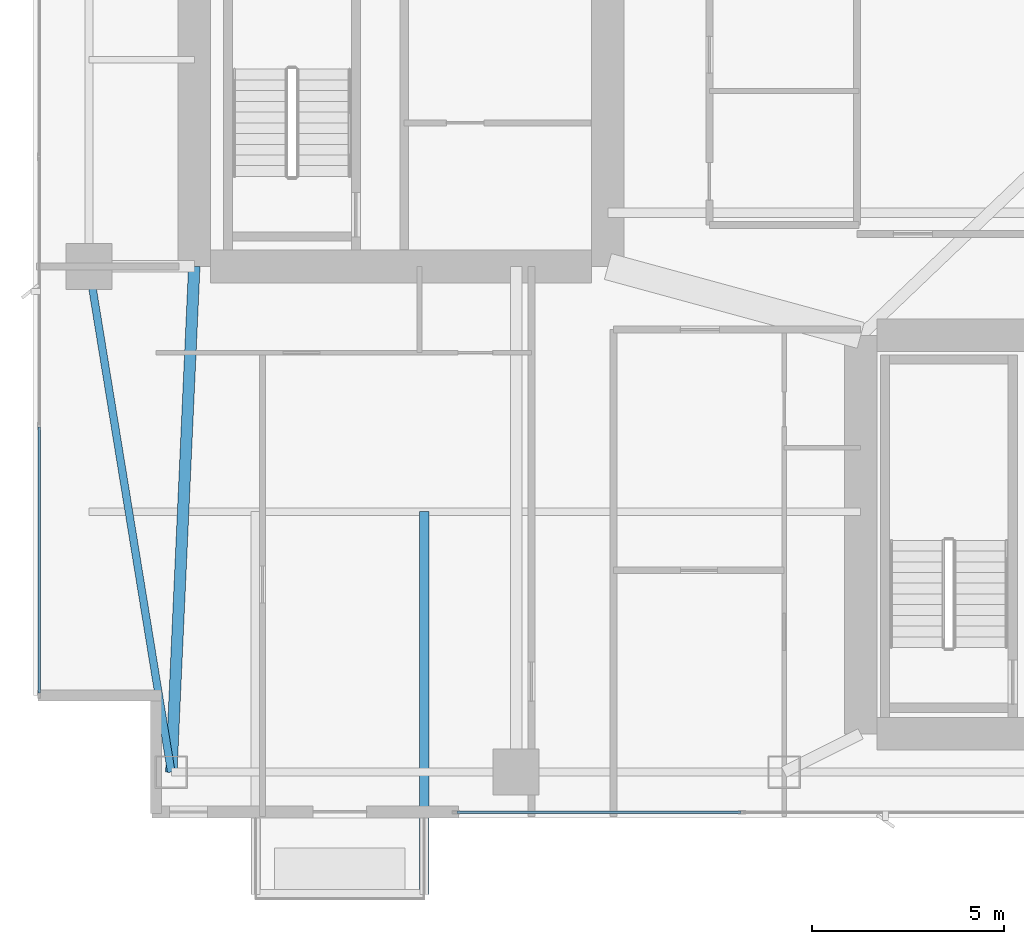
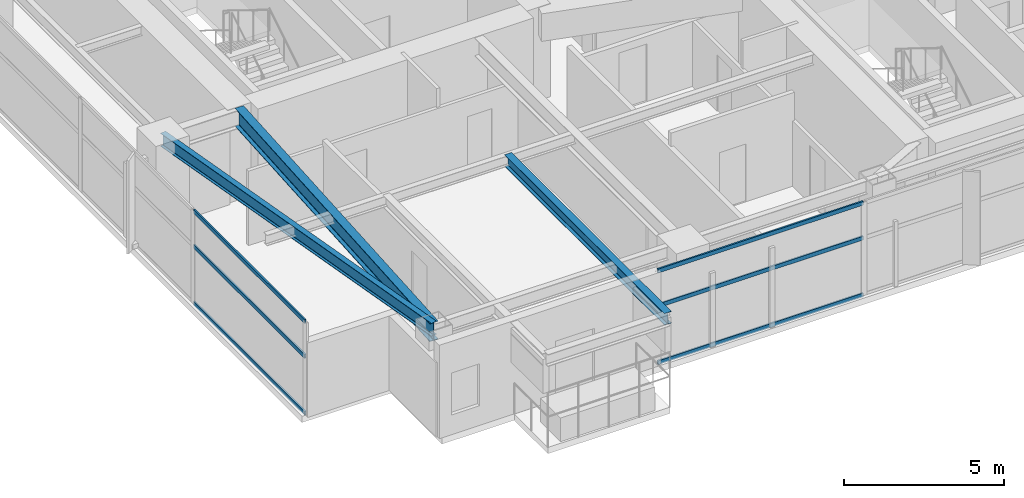
# One storey, part 3 of 28: 6 members, 3 beams, 2 elements without a shape of their own.
"""IFC4 building model written with IfcOpenShell, lengths in metres."""

from ifc_helpers import new_model, si_unit, direction, frame, origin, origin_2d, place, context, subcontext, project, spatial, hollow_rectangle, i_section, extrude, material, layer, layer_set, material_profile, profile_set, type_object, element, aggregate, save


model = new_model("IFC4")

# Units and contexts
model_context = context("Model", 3, precision=1e-05, world=origin(), true_north=direction((0.0, 1.0)))
body_context = subcontext(model_context, "Body", "Model", "MODEL_VIEW")
ifc_project = project(units=[si_unit("LENGTHUNIT", "METRE"), si_unit("AREAUNIT", "SQUARE_METRE"), si_unit("VOLUMEUNIT", "CUBIC_METRE"), si_unit("PLANEANGLEUNIT", "RADIAN"), si_unit("MASSUNIT", "GRAM", prefix="KILO")], contexts=[model_context])

# Site, building, storey
site_placement = place(None, origin())
site = spatial("IfcSite", under=ifc_project, at=site_placement, CompositionType="ELEMENT")
building_placement = place(site_placement, origin())
building = spatial("IfcBuilding", under=site, at=building_placement, Name="Calvorn Quay Hotel", CompositionType="ELEMENT")
storey_placement = place(building_placement, frame((0.0, 0.0, 127.800048828125)))
storey = spatial("IfcBuildingStorey", under=building, at=storey_placement, Name="L31", CompositionType="ELEMENT", Elevation=127.800048828125)

# Beams
ifc_material_1 = material(Name="Steel Q355B", Category="steel")
ifc_material_profile_1 = material_profile(ifc_material_1, i_section(OverallWidth=0.25, OverallDepth=0.449951171875, WebThickness=0.011962890625, FlangeThickness=0.01611328125, FilletRadius=0.01611328125, at=origin_2d()), Name="HN450x250x12x16")
ifc_profile_set_1 = profile_set([ifc_material_profile_1], Name="Steel Q355B")
beam_type_1 = type_object("IfcBeamType", Name="BM-CANT-BALC", PredefinedType="BEAM", material=ifc_profile_set_1)
beam_1_placement = place(storey_placement, frame((10.199951171875, 10.39990234375, 3.31494140625), z_axis=(0.0, -1.0, 0.0), x_axis=(1.0, 0.0, 0.0)))
element("IfcBeam", 1, at=beam_1_placement, inside=storey, type_object=beam_type_1, Name="Cantilever Balcony Beam BCB-L32-2B", PredefinedType="BEAM", context=body_context, shape_type="SweptSolid", body=[
    extrude(i_section(OverallWidth=0.25, OverallDepth=0.449951171875, WebThickness=0.011962890625, FlangeThickness=0.01611328125, FilletRadius=0.01611328125, at=origin_2d()), origin(), (0.0, 0.0, 1.0), 9.989990234375),
])
ifc_material_2 = material(Name="Steel Q390GJC", Category="steel")
ifc_material_profile_2 = material_profile(ifc_material_2, i_section(OverallWidth=0.300048828125, OverallDepth=0.699951171875, WebThickness=0.012939453125, FlangeThickness=0.02392578125, FilletRadius=0.02392578125, at=origin_2d()), Name="HN700x300x13x24")
ifc_profile_set_2 = profile_set([ifc_material_profile_2], Name="Steel Q390GJC")
beam_type_2 = type_object("IfcBeamType", Name="BM-GIRD-MAIN", PredefinedType="BEAM", material=ifc_profile_set_2)
beam_2_placement = place(storey_placement, frame((3.60009765625, 3.60009765625, 3.18994140625), z_axis=(0.045396765494, 0.998969035397, 0.0), x_axis=(-0.998969035397, 0.045396765494, 0.0)))
element("IfcBeam", 2, at=beam_2_placement, inside=storey, type_object=beam_type_2, Name="Beam BG-L31-W0", PredefinedType="BEAM", context=body_context, shape_type="SweptSolid", body=[
    extrude(i_section(OverallWidth=0.300048828125, OverallDepth=0.699951171875, WebThickness=0.012939453125, FlangeThickness=0.02392578125, FilletRadius=0.02392578125, at=origin_2d()), origin(), (0.0, 0.0, 1.0), 13.213623046875),
])
ifc_material_3 = material(Name="Steel Q355B", Category="steel")
ifc_material_profile_3 = material_profile(ifc_material_3, i_section(OverallWidth=0.199951171875, OverallDepth=0.5, WebThickness=0.010009765625, FlangeThickness=0.01611328125, FilletRadius=0.01611328125, at=origin_2d()), Name="HN500x200x10x16")
ifc_profile_set_3 = profile_set([ifc_material_profile_3], Name="Steel Q355B")
beam_type_3 = type_object("IfcBeamType", Name="BM-SPANDREL-Z1", PredefinedType="SPANDREL", material=ifc_profile_set_3)
beam_3_placement = place(storey_placement, frame((3.60009765625, 3.60009765625, 3.2900390625), z_axis=(-0.16077155054, 0.986991645627, 0.0), x_axis=(-0.986991645627, -0.16077155054, 0.0)))
element("IfcBeam", 3, at=beam_3_placement, inside=storey, type_object=beam_type_3, Name="Beam BSP-L31-W1", PredefinedType="SPANDREL", context=body_context, shape_type="SweptSolid", body=[
    extrude(i_section(OverallWidth=0.199951171875, OverallDepth=0.5, WebThickness=0.010009765625, FlangeThickness=0.01611328125, FilletRadius=0.01611328125, at=origin_2d()), origin(), (0.0, 0.0, 1.0), 13.3740234375),
])

# Curtain wall, members
ifc_material_4 = material(Name="Pale Anodised Aluminium and Low-E Glass", Category="aluminium")
ifc_layer = layer(ifc_material_4, 0.219970703125)
ifc_layer_set = layer_set([ifc_layer], Name="CW-SYS-Z2")
curtain_wall_type = type_object("IfcCurtainWallType", Name="CW-SYS-Z2", PredefinedType="NOTDEFINED", material=ifc_layer_set)
curtain_wall_1_placement = place(storey_placement, origin())
curtain_wall_1 = element("IfcCurtainWall", 4, at=curtain_wall_1_placement, inside=storey, type_object=curtain_wall_type, Name="Tower West Curtain Wall (L31)", PredefinedType="NOTDEFINED")
ifc_material_5 = material(Name="Pale Anodised Aluminium 6063-T6", Category="aluminium")
ifc_material_profile_4 = material_profile(ifc_material_5, hollow_rectangle(XDim=0.06005859375, YDim=0.14990234375, WallThickness=0.00341796875, at=origin_2d()), Name="ALU-T150x60x3.5")
ifc_profile_set_4 = profile_set([ifc_material_profile_4], Name="Pale Anodised Aluminium 6063-T6")
member_type = type_object("IfcMemberType", Name="CW-SYS-Z2-TRN", PredefinedType="USERDEFINED", material=ifc_profile_set_4)
member_1_placement = place(storey_placement, frame((0.14990234375, 5.659912109375, 0.030029296875), z_axis=(0.0, 1.0, 0.0), x_axis=(-1.0, 0.0, 0.0)))
member_1 = element("IfcMember", 5, at=member_1_placement, type_object=member_type, Name="CW-L31-W transom 1.1", ObjectType="TRANSOM", PredefinedType="USERDEFINED", context=body_context, shape_type="SweptSolid", body=[
    extrude(hollow_rectangle(XDim=0.06005859375, YDim=0.14990234375, WallThickness=0.00341796875, at=origin_2d()), origin(), (0.0, 0.0, 1.0), 6.943359375),
])
member_2_placement = place(storey_placement, frame((0.14990234375, 5.659912109375, 2.199951171875), z_axis=(0.0, 1.0, 0.0), x_axis=(-1.0, 0.0, 0.0)))
member_2 = element("IfcMember", 6, at=member_2_placement, type_object=member_type, Name="CW-L31-W transom 1.2", ObjectType="TRANSOM", PredefinedType="USERDEFINED", context=body_context, shape_type="SweptSolid", body=[
    extrude(hollow_rectangle(XDim=0.06005859375, YDim=0.14990234375, WallThickness=0.00341796875, at=origin_2d()), origin(), (0.0, 0.0, 1.0), 6.943359375),
])
member_3_placement = place(storey_placement, frame((0.14990234375, 5.659912109375, 3.530029296875), z_axis=(0.0, 1.0, 0.0), x_axis=(-1.0, 0.0, 0.0)))
member_3 = element("IfcMember", 7, at=member_3_placement, type_object=member_type, Name="CW-L31-W transom 1.3", ObjectType="TRANSOM", PredefinedType="USERDEFINED", context=body_context, shape_type="SweptSolid", body=[
    extrude(hollow_rectangle(XDim=0.06005859375, YDim=0.14990234375, WallThickness=0.00341796875, at=origin_2d()), origin(), (0.0, 0.0, 1.0), 6.943359375),
])
aggregate(curtain_wall_1, [member_1, member_2, member_3])

curtain_wall_2_placement = place(storey_placement, origin())
curtain_wall_2 = element("IfcCurtainWall", 8, at=curtain_wall_2_placement, inside=storey, type_object=curtain_wall_type, Name="Tower South Waterfront Curtain Wall (L31)", PredefinedType="NOTDEFINED")
member_4_placement = place(storey_placement, frame((11.06005859375, 2.550048828125, 0.030029296875), z_axis=(1.0, 0.0, 0.0), x_axis=(0.0, 1.0, 0.0)))
member_4 = element("IfcMember", 9, at=member_4_placement, type_object=member_type, Name="CW-L31-S transom 1.1", ObjectType="TRANSOM", PredefinedType="USERDEFINED", context=body_context, shape_type="SweptSolid", body=[
    extrude(hollow_rectangle(XDim=0.06005859375, YDim=0.14990234375, WallThickness=0.00341796875, at=origin_2d()), origin(), (0.0, 0.0, 1.0), 7.409912109375),
])
member_5_placement = place(storey_placement, frame((11.06005859375, 2.550048828125, 2.199951171875), z_axis=(1.0, 0.0, 0.0), x_axis=(0.0, 1.0, 0.0)))
member_5 = element("IfcMember", 10, at=member_5_placement, type_object=member_type, Name="CW-L31-S transom 1.2", ObjectType="TRANSOM", PredefinedType="USERDEFINED", context=body_context, shape_type="SweptSolid", body=[
    extrude(hollow_rectangle(XDim=0.06005859375, YDim=0.14990234375, WallThickness=0.00341796875, at=origin_2d()), origin(), (0.0, 0.0, 1.0), 7.409912109375),
])
member_6_placement = place(storey_placement, frame((11.06005859375, 2.550048828125, 3.530029296875), z_axis=(1.0, 0.0, 0.0), x_axis=(0.0, 1.0, 0.0)))
member_6 = element("IfcMember", 11, at=member_6_placement, type_object=member_type, Name="CW-L31-S transom 1.3", ObjectType="TRANSOM", PredefinedType="USERDEFINED", context=body_context, shape_type="SweptSolid", body=[
    extrude(hollow_rectangle(XDim=0.06005859375, YDim=0.14990234375, WallThickness=0.00341796875, at=origin_2d()), origin(), (0.0, 0.0, 1.0), 7.409912109375),
])
aggregate(curtain_wall_2, [member_4, member_5, member_6])

save(model, "model.ifc")
